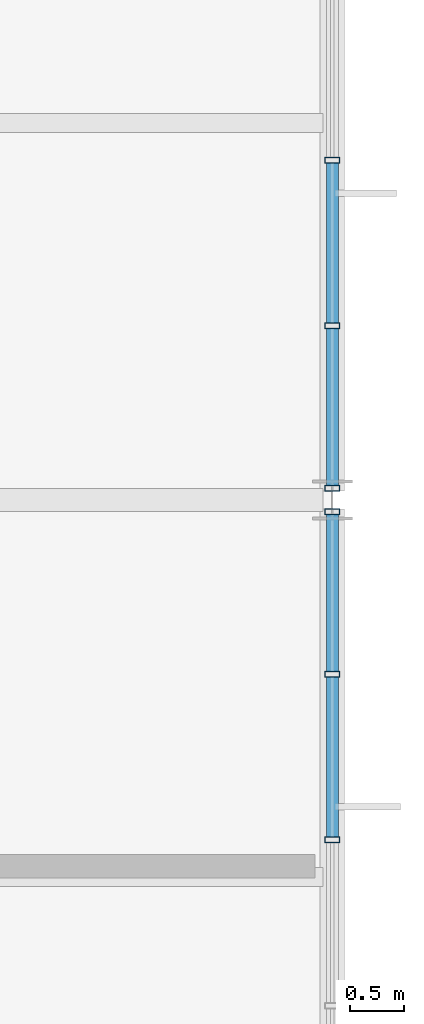
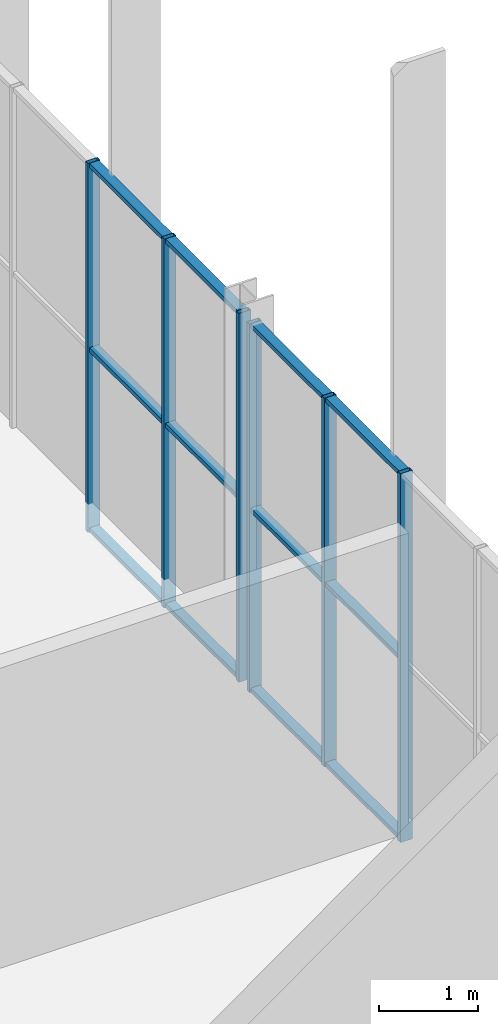
# One storey, part 206 of 324: 18 members, 2 elements without a shape of their own.
"""IFC4 building model written with IfcOpenShell, lengths in metres."""

from ifc_helpers import new_model, si_unit, direction, frame, origin, origin_2d, place, context, subcontext, project, spatial, hollow_rectangle, extrude, material, layer, layer_set, material_profile, profile_set, type_object, element, aggregate, save


model = new_model("IFC4")

# Units and contexts
model_context = context("Model", 3, precision=1e-05, world=origin(), true_north=direction((0.0, 1.0)))
body_context = subcontext(model_context, "Body", "Model", "MODEL_VIEW")
ifc_project = project(units=[si_unit("LENGTHUNIT", "METRE"), si_unit("AREAUNIT", "SQUARE_METRE"), si_unit("VOLUMEUNIT", "CUBIC_METRE"), si_unit("PLANEANGLEUNIT", "RADIAN"), si_unit("MASSUNIT", "GRAM", prefix="KILO")], contexts=[model_context])

# Site, building, storey
site_placement = place(None, origin())
site = spatial("IfcSite", under=ifc_project, at=site_placement, CompositionType="ELEMENT")
building_placement = place(site_placement, origin())
building = spatial("IfcBuilding", under=site, at=building_placement, Name="Solvenia Promenade Tram Depot", CompositionType="ELEMENT")
storey_placement = place(building_placement, frame((0.0, 0.0, 4.5)))
storey = spatial("IfcBuildingStorey", under=building, at=storey_placement, Name="L01", CompositionType="ELEMENT", Elevation=4.5)

# Curtain wall, members
ifc_material = material(Name="Anodized aluminium AW-6063 T6", Category="aluminium")
ifc_layer = layer(ifc_material, 0.080078125, Name="Anodized aluminium AW-6063 T6", Category="aluminium")
ifc_layer_set = layer_set([ifc_layer], Name="Anodized aluminium AW-6063 T6")
curtain_wall_type = type_object("IfcCurtainWallType", Name="CW-Clerest-1500", PredefinedType="NOTDEFINED", material=ifc_layer_set)
curtain_wall_1_placement = place(storey_placement, origin())
curtain_wall_1 = element("IfcCurtainWall", 1, at=curtain_wall_1_placement, inside=storey, type_object=curtain_wall_type, Name="Curtain Wall CW-V2E-L1-2", PredefinedType="NOTDEFINED")
ifc_material_profile_1 = material_profile(ifc_material, hollow_rectangle(XDim=0.139892578125, YDim=0.054931640625, WallThickness=0.00390625, at=origin_2d()), Name="ALU-M4", Category="aluminium")
ifc_profile_set_1 = profile_set([ifc_material_profile_1], Name="Anodized aluminium AW-6063 T6")
member_type_1 = type_object("IfcMemberType", Name="CWM-Mullion-4", PredefinedType="MULLION", material=ifc_profile_set_1)
member_1_placement = place(storey_placement, frame((186.0, 48.844482421875, -0.35009765625), z_axis=(0.0, 0.0, 1.0), x_axis=(-1.0, 0.0, 0.0)))
member_1 = element("IfcMember", 2, at=member_1_placement, type_object=member_type_1, Name="CW-4 mullion 8", PredefinedType="MULLION", context=body_context, shape_type="SweptSolid", body=[
    extrude(hollow_rectangle(XDim=0.139892578125, YDim=0.054931640625, WallThickness=0.00390625, at=origin_2d()), origin(), (0.0, 0.0, 1.0), 4.550048828125),
])
member_2_placement = place(storey_placement, frame((186.0, 50.38232421875, -0.35009765625), z_axis=(0.0, 0.0, 1.0), x_axis=(-1.0, 0.0, 0.0)))
member_2 = element("IfcMember", 3, at=member_2_placement, type_object=member_type_1, Name="CW-4 mullion 9", PredefinedType="MULLION", context=body_context, shape_type="SweptSolid", body=[
    extrude(hollow_rectangle(XDim=0.139892578125, YDim=0.054931640625, WallThickness=0.00390625, at=origin_2d()), origin(), (0.0, 0.0, 1.0), 4.550048828125),
])
member_3_placement = place(storey_placement, frame((186.0, 51.892578125, -0.35009765625), z_axis=(0.0, 0.0, 1.0), x_axis=(-1.0, 0.0, 0.0)))
member_3 = element("IfcMember", 4, at=member_3_placement, type_object=member_type_1, Name="CW-4 mullion 10", PredefinedType="MULLION", context=body_context, shape_type="SweptSolid", body=[
    extrude(hollow_rectangle(XDim=0.139892578125, YDim=0.054931640625, WallThickness=0.00390625, at=origin_2d()), origin(), (0.0, 0.0, 1.0), 4.550048828125),
])

curtain_wall_2_placement = place(storey_placement, origin())
curtain_wall_2 = element("IfcCurtainWall", 5, at=curtain_wall_2_placement, inside=storey, type_object=curtain_wall_type, Name="Curtain Wall CW-V2E-L1-3", PredefinedType="NOTDEFINED")
member_4_placement = place(storey_placement, frame((186.0, 52.107421875, -0.35009765625), z_axis=(0.0, 0.0, 1.0), x_axis=(-1.0, 0.0, 0.0)))
member_4 = element("IfcMember", 6, at=member_4_placement, type_object=member_type_1, Name="CW-4 mullion 1", PredefinedType="MULLION", context=body_context, shape_type="SweptSolid", body=[
    extrude(hollow_rectangle(XDim=0.139892578125, YDim=0.054931640625, WallThickness=0.00390625, at=origin_2d()), origin(), (0.0, 0.0, 1.0), 4.550048828125),
])
member_5_placement = place(storey_placement, frame((186.0, 53.61767578125, -0.35009765625), z_axis=(0.0, 0.0, 1.0), x_axis=(-1.0, 0.0, 0.0)))
member_5 = element("IfcMember", 7, at=member_5_placement, type_object=member_type_1, Name="CW-4 mullion 2", PredefinedType="MULLION", context=body_context, shape_type="SweptSolid", body=[
    extrude(hollow_rectangle(XDim=0.139892578125, YDim=0.054931640625, WallThickness=0.00390625, at=origin_2d()), origin(), (0.0, 0.0, 1.0), 4.550048828125),
])
member_6_placement = place(storey_placement, frame((186.0, 55.155517578125, -0.35009765625), z_axis=(0.0, 0.0, 1.0), x_axis=(-1.0, 0.0, 0.0)))
member_6 = element("IfcMember", 8, at=member_6_placement, type_object=member_type_1, Name="CW-4 mullion 3", PredefinedType="MULLION", context=body_context, shape_type="SweptSolid", body=[
    extrude(hollow_rectangle(XDim=0.139892578125, YDim=0.054931640625, WallThickness=0.00390625, at=origin_2d()), origin(), (0.0, 0.0, 1.0), 4.550048828125),
])

# Member
ifc_material_profile_2 = material_profile(ifc_material, hollow_rectangle(XDim=0.110107421875, YDim=0.054931640625, WallThickness=0.00390625, at=origin_2d()), Name="ALU-T4", Category="aluminium")
ifc_profile_set_2 = profile_set([ifc_material_profile_2], Name="Anodized aluminium AW-6063 T6")
member_type_2 = type_object("IfcMemberType", Name="CWT-Transom-4", PredefinedType="USERDEFINED", material=ifc_profile_set_2)
member_7_placement = place(storey_placement, frame((186.0, 48.871826171875, -0.322509765625), z_axis=(0.0, 1.0, 0.0), x_axis=(-1.0, 0.0, 0.0)))
member_7 = element("IfcMember", 9, at=member_7_placement, type_object=member_type_2, Name="CW-4 transom 8.1", ObjectType="TRANSOM", PredefinedType="USERDEFINED", context=body_context, shape_type="SweptSolid", body=[
    extrude(hollow_rectangle(XDim=0.110107421875, YDim=0.054931640625, WallThickness=0.00390625, at=origin_2d()), origin(), (0.0, 0.0, 1.0), 1.48291015625),
])

member_8_placement = place(storey_placement, frame((186.0, 48.871826171875, 1.89990234375), z_axis=(0.0, 1.0, 0.0), x_axis=(-1.0, 0.0, 0.0)))
member_8 = element("IfcMember", 10, at=member_8_placement, type_object=member_type_2, Name="CW-4 transom 8.2", ObjectType="TRANSOM", PredefinedType="USERDEFINED", context=body_context, shape_type="SweptSolid", body=[
    extrude(hollow_rectangle(XDim=0.110107421875, YDim=0.054931640625, WallThickness=0.00390625, at=origin_2d()), origin(), (0.0, 0.0, 1.0), 1.48291015625),
])

member_9_placement = place(storey_placement, frame((186.0, 48.871826171875, 4.172607421875), z_axis=(0.0, 1.0, 0.0), x_axis=(-1.0, 0.0, 0.0)))
member_9 = element("IfcMember", 11, at=member_9_placement, type_object=member_type_2, Name="CW-4 transom 8.3", ObjectType="TRANSOM", PredefinedType="USERDEFINED", context=body_context, shape_type="SweptSolid", body=[
    extrude(hollow_rectangle(XDim=0.110107421875, YDim=0.054931640625, WallThickness=0.00390625, at=origin_2d()), origin(), (0.0, 0.0, 1.0), 1.48291015625),
])

member_10_placement = place(storey_placement, frame((186.0, 50.40966796875, -0.322509765625), z_axis=(0.0, 1.0, 0.0), x_axis=(-1.0, 0.0, 0.0)))
member_10 = element("IfcMember", 12, at=member_10_placement, type_object=member_type_2, Name="CW-4 transom 9.1", ObjectType="TRANSOM", PredefinedType="USERDEFINED", context=body_context, shape_type="SweptSolid", body=[
    extrude(hollow_rectangle(XDim=0.110107421875, YDim=0.054931640625, WallThickness=0.00390625, at=origin_2d()), origin(), (0.0, 0.0, 1.0), 1.455322265625),
])

member_11_placement = place(storey_placement, frame((186.0, 50.40966796875, 1.89990234375), z_axis=(0.0, 1.0, 0.0), x_axis=(-1.0, 0.0, 0.0)))
member_11 = element("IfcMember", 13, at=member_11_placement, type_object=member_type_2, Name="CW-4 transom 9.2", ObjectType="TRANSOM", PredefinedType="USERDEFINED", context=body_context, shape_type="SweptSolid", body=[
    extrude(hollow_rectangle(XDim=0.110107421875, YDim=0.054931640625, WallThickness=0.00390625, at=origin_2d()), origin(), (0.0, 0.0, 1.0), 1.455322265625),
])

member_12_placement = place(storey_placement, frame((186.0, 50.40966796875, 4.172607421875), z_axis=(0.0, 1.0, 0.0), x_axis=(-1.0, 0.0, 0.0)))
member_12 = element("IfcMember", 14, at=member_12_placement, type_object=member_type_2, Name="CW-4 transom 9.3", ObjectType="TRANSOM", PredefinedType="USERDEFINED", context=body_context, shape_type="SweptSolid", body=[
    extrude(hollow_rectangle(XDim=0.110107421875, YDim=0.054931640625, WallThickness=0.00390625, at=origin_2d()), origin(), (0.0, 0.0, 1.0), 1.455322265625),
])

aggregate(curtain_wall_1, [member_1, member_2, member_3, member_7, member_8, member_9, member_10, member_11, member_12])

member_13_placement = place(storey_placement, frame((186.0, 52.135009765625, -0.322509765625), z_axis=(0.0, 1.0, 0.0), x_axis=(-1.0, 0.0, 0.0)))
member_13 = element("IfcMember", 15, at=member_13_placement, type_object=member_type_2, Name="CW-4 transom 1.1", ObjectType="TRANSOM", PredefinedType="USERDEFINED", context=body_context, shape_type="SweptSolid", body=[
    extrude(hollow_rectangle(XDim=0.110107421875, YDim=0.054931640625, WallThickness=0.00390625, at=origin_2d()), origin(), (0.0, 0.0, 1.0), 1.455322265625),
])

member_14_placement = place(storey_placement, frame((186.0, 52.135009765625, 1.89990234375), z_axis=(0.0, 1.0, 0.0), x_axis=(-1.0, 0.0, 0.0)))
member_14 = element("IfcMember", 16, at=member_14_placement, type_object=member_type_2, Name="CW-4 transom 1.2", ObjectType="TRANSOM", PredefinedType="USERDEFINED", context=body_context, shape_type="SweptSolid", body=[
    extrude(hollow_rectangle(XDim=0.110107421875, YDim=0.054931640625, WallThickness=0.00390625, at=origin_2d()), origin(), (0.0, 0.0, 1.0), 1.455322265625),
])

member_15_placement = place(storey_placement, frame((186.0, 52.135009765625, 4.172607421875), z_axis=(0.0, 1.0, 0.0), x_axis=(-1.0, 0.0, 0.0)))
member_15 = element("IfcMember", 17, at=member_15_placement, type_object=member_type_2, Name="CW-4 transom 1.3", ObjectType="TRANSOM", PredefinedType="USERDEFINED", context=body_context, shape_type="SweptSolid", body=[
    extrude(hollow_rectangle(XDim=0.110107421875, YDim=0.054931640625, WallThickness=0.00390625, at=origin_2d()), origin(), (0.0, 0.0, 1.0), 1.455322265625),
])

member_16_placement = place(storey_placement, frame((186.0, 53.645263671875, -0.322509765625), z_axis=(0.0, 1.0, 0.0), x_axis=(-1.0, 0.0, 0.0)))
member_16 = element("IfcMember", 18, at=member_16_placement, type_object=member_type_2, Name="CW-4 transom 2.1", ObjectType="TRANSOM", PredefinedType="USERDEFINED", context=body_context, shape_type="SweptSolid", body=[
    extrude(hollow_rectangle(XDim=0.110107421875, YDim=0.054931640625, WallThickness=0.00390625, at=origin_2d()), origin(), (0.0, 0.0, 1.0), 1.48291015625),
])

member_17_placement = place(storey_placement, frame((186.0, 53.645263671875, 1.89990234375), z_axis=(0.0, 1.0, 0.0), x_axis=(-1.0, 0.0, 0.0)))
member_17 = element("IfcMember", 19, at=member_17_placement, type_object=member_type_2, Name="CW-4 transom 2.2", ObjectType="TRANSOM", PredefinedType="USERDEFINED", context=body_context, shape_type="SweptSolid", body=[
    extrude(hollow_rectangle(XDim=0.110107421875, YDim=0.054931640625, WallThickness=0.00390625, at=origin_2d()), origin(), (0.0, 0.0, 1.0), 1.48291015625),
])

member_18_placement = place(storey_placement, frame((186.0, 53.645263671875, 4.172607421875), z_axis=(0.0, 1.0, 0.0), x_axis=(-1.0, 0.0, 0.0)))
member_18 = element("IfcMember", 20, at=member_18_placement, type_object=member_type_2, Name="CW-4 transom 2.3", ObjectType="TRANSOM", PredefinedType="USERDEFINED", context=body_context, shape_type="SweptSolid", body=[
    extrude(hollow_rectangle(XDim=0.110107421875, YDim=0.054931640625, WallThickness=0.00390625, at=origin_2d()), origin(), (0.0, 0.0, 1.0), 1.48291015625),
])

aggregate(curtain_wall_2, [member_4, member_5, member_6, member_13, member_14, member_15, member_16, member_17, member_18])

save(model, "model.ifc")
